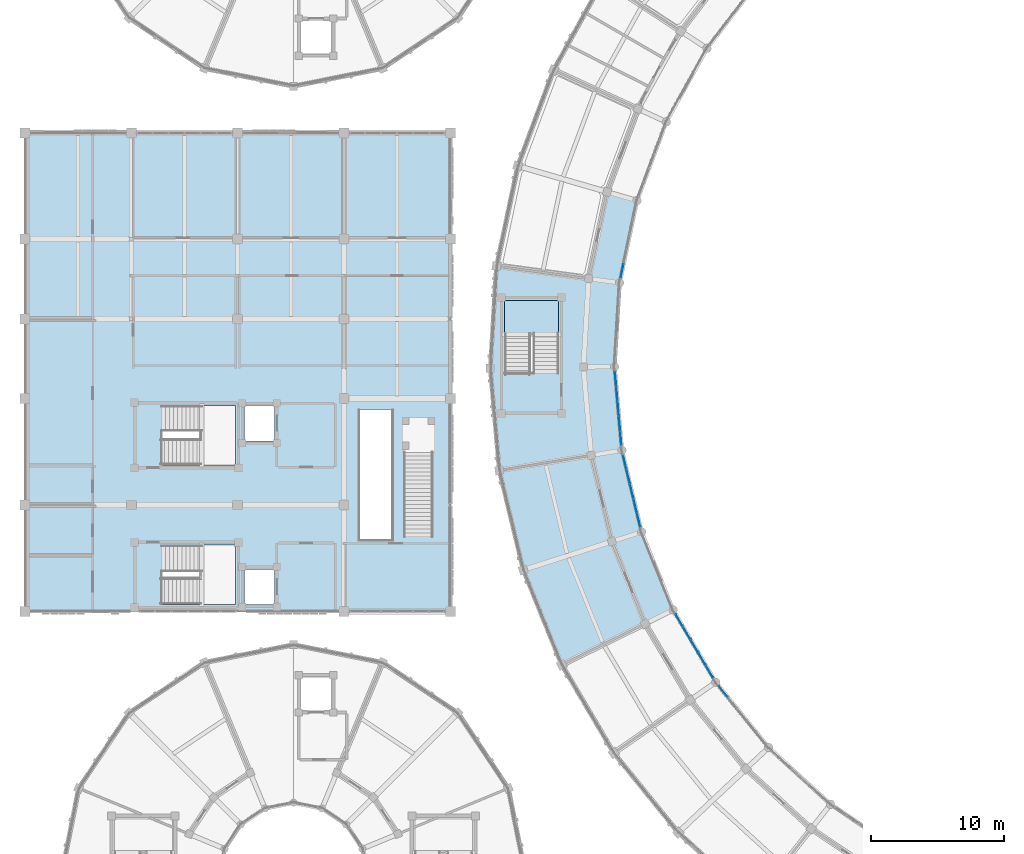
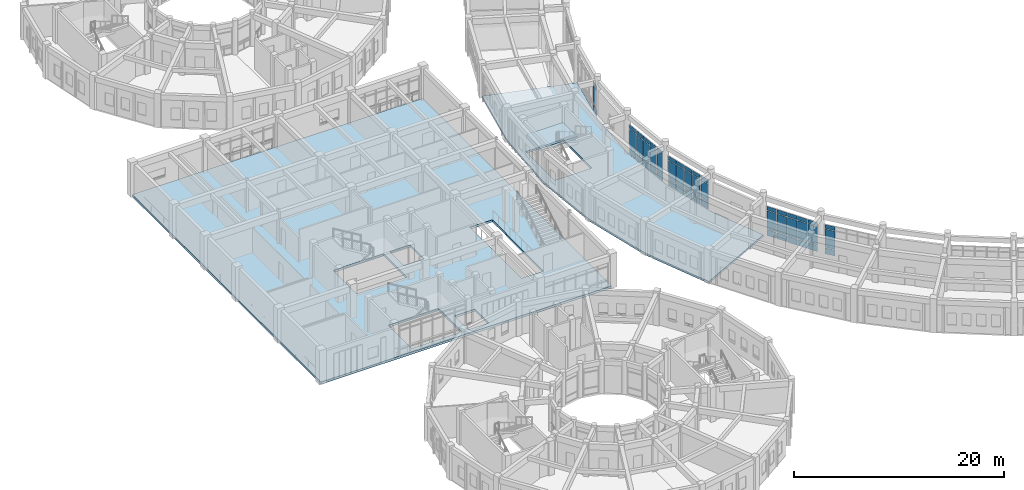
# One storey, part 104 of 159: 51 plates, 3 slabs, 6 elements without a shape of their own.
"""IFC4 building model written with IfcOpenShell, lengths in metres."""

from ifc_helpers import new_model, si_unit, direction, frame, origin, origin_2d, place, context, subcontext, project, spatial, polyline, rectangle, outline, extrude, material, layer, layer_set, type_object, element, aggregate, save


model = new_model("IFC4")

# Units and contexts
model_context = context("Model", 3, precision=1e-05, world=origin(), true_north=direction((0.0, 1.0)))
body_context = subcontext(model_context, "Body", "Model", "MODEL_VIEW")
ifc_project = project(units=[si_unit("LENGTHUNIT", "METRE"), si_unit("AREAUNIT", "SQUARE_METRE"), si_unit("VOLUMEUNIT", "CUBIC_METRE"), si_unit("PLANEANGLEUNIT", "RADIAN"), si_unit("MASSUNIT", "GRAM", prefix="KILO")], contexts=[model_context])

# Site, building, storey
site_placement = place(None, origin())
site = spatial("IfcSite", under=ifc_project, at=site_placement, CompositionType="ELEMENT")
building_placement = place(site_placement, origin())
building = spatial("IfcBuilding", under=site, at=building_placement, Name="Celadon Cloister-Ring School", CompositionType="ELEMENT")
storey_placement = place(building_placement, frame((0.0, 0.0, 4.5)))
storey = spatial("IfcBuildingStorey", under=building, at=storey_placement, Name="L01", CompositionType="ELEMENT", Elevation=4.5)

# Curtain wall, plates
ifc_material_1 = material(Name="Aluminium EN AW-6063 T6", Category="aluminium")
curtain_wall_type = type_object("IfcCurtainWallType", Name="CW-01", PredefinedType="USERDEFINED", material=ifc_material_1)
curtain_wall_1_placement = place(storey_placement, origin())
curtain_wall_1 = element("IfcCurtainWall", 1, at=curtain_wall_1_placement, inside=storey, type_object=curtain_wall_type, Name="Curtain Wall 0024", ObjectType="CURTAIN WALL", PredefinedType="USERDEFINED")
ifc_material_2 = material(Name="Tempered laminated insulating glass", Category="glass")
ifc_layer_1 = layer(ifc_material_2, 0.028076171875)
ifc_layer_set_1 = layer_set([ifc_layer_1], Name="Tempered laminated insulating glass")
plate_type = type_object("IfcPlateType", Name="CPN-02", PredefinedType="CURTAIN_PANEL", material=ifc_layer_set_1)
plate_1_placement = place(storey_placement, frame((44.923583984375, 65.609130859375, 0.074951171875), z_axis=(0.0, 0.0, 1.0), x_axis=(-0.207094964304, -0.978320844999, 0.0)))
plate_1 = element("IfcPlate", 2, at=plate_1_placement, type_object=plate_type, Name="CW-01 panel 5.1", PredefinedType="CURTAIN_PANEL", context=body_context, shape_type="SweptSolid", body=[
    extrude(rectangle(XDim=1.013671875, YDim=0.028076171875, at=origin_2d()), origin(), (0.0, 0.0, 1.0), 0.6875),
])
plate_2_placement = place(storey_placement, frame((44.923583984375, 65.609130859375, 0.83740234375), z_axis=(0.0, 0.0, 1.0), x_axis=(-0.207094964304, -0.978320844999, 0.0)))
plate_2 = element("IfcPlate", 3, at=plate_2_placement, type_object=plate_type, Name="CW-01 panel 5.2", PredefinedType="CURTAIN_PANEL", context=body_context, shape_type="SweptSolid", body=[
    extrude(rectangle(XDim=1.013671875, YDim=0.028076171875, at=origin_2d()), origin(), (0.0, 0.0, 1.0), 2.125),
])
plate_3_placement = place(storey_placement, frame((44.923583984375, 65.609130859375, 3.03759765625), z_axis=(0.0, 0.0, 1.0), x_axis=(-0.207094964304, -0.978320844999, 0.0)))
plate_3 = element("IfcPlate", 4, at=plate_3_placement, type_object=plate_type, Name="CW-01 panel 5.3", PredefinedType="CURTAIN_PANEL", context=body_context, shape_type="SweptSolid", body=[
    extrude(rectangle(XDim=1.013671875, YDim=0.028076171875, at=origin_2d()), origin(), (0.0, 0.0, 1.0), 0.4375),
])
aggregate(curtain_wall_1, [plate_1, plate_2, plate_3])

curtain_wall_2_placement = place(storey_placement, origin())
curtain_wall_2 = element("IfcCurtainWall", 5, at=curtain_wall_2_placement, inside=storey, type_object=curtain_wall_type, Name="Curtain Wall 0025", ObjectType="CURTAIN WALL", PredefinedType="USERDEFINED")
plate_4_placement = place(storey_placement, frame((44.4345703125, 57.50146484375, 0.074951171875), z_axis=(0.0, 0.0, 1.0), x_axis=(0.087687842199, -0.996148002222, 0.0)))
plate_4 = element("IfcPlate", 6, at=plate_4_placement, type_object=plate_type, Name="CW-01 panel 1.1", PredefinedType="CURTAIN_PANEL", context=body_context, shape_type="SweptSolid", body=[
    extrude(rectangle(XDim=1.013671875, YDim=0.028076171875, at=origin_2d()), origin(), (0.0, 0.0, 1.0), 0.6875),
])
plate_5_placement = place(storey_placement, frame((44.4345703125, 57.50146484375, 0.83740234375), z_axis=(0.0, 0.0, 1.0), x_axis=(0.087687842199, -0.996148002222, 0.0)))
plate_5 = element("IfcPlate", 7, at=plate_5_placement, type_object=plate_type, Name="CW-01 panel 1.2", PredefinedType="CURTAIN_PANEL", context=body_context, shape_type="SweptSolid", body=[
    extrude(rectangle(XDim=1.013671875, YDim=0.028076171875, at=origin_2d()), origin(), (0.0, 0.0, 1.0), 2.125),
])
plate_6_placement = place(storey_placement, frame((44.4345703125, 57.50146484375, 3.03759765625), z_axis=(0.0, 0.0, 1.0), x_axis=(0.087687842199, -0.996148002222, 0.0)))
plate_6 = element("IfcPlate", 8, at=plate_6_placement, type_object=plate_type, Name="CW-01 panel 1.3", PredefinedType="CURTAIN_PANEL", context=body_context, shape_type="SweptSolid", body=[
    extrude(rectangle(XDim=1.013671875, YDim=0.028076171875, at=origin_2d()), origin(), (0.0, 0.0, 1.0), 0.4375),
])
plate_7_placement = place(storey_placement, frame((44.531982421875, 56.39208984375, 0.074951171875), z_axis=(0.0, 0.0, 1.0), x_axis=(0.087687842199, -0.996148002222, 0.0)))
plate_7 = element("IfcPlate", 9, at=plate_7_placement, type_object=plate_type, Name="CW-01 panel 2.1", PredefinedType="CURTAIN_PANEL", context=body_context, shape_type="SweptSolid", body=[
    extrude(rectangle(XDim=1.053466796875, YDim=0.028076171875, at=origin_2d()), origin(), (0.0, 0.0, 1.0), 0.6875),
])
plate_8_placement = place(storey_placement, frame((44.531982421875, 56.39208984375, 0.83740234375), z_axis=(0.0, 0.0, 1.0), x_axis=(0.087687842199, -0.996148002222, 0.0)))
plate_8 = element("IfcPlate", 10, at=plate_8_placement, type_object=plate_type, Name="CW-01 panel 2.2", PredefinedType="CURTAIN_PANEL", context=body_context, shape_type="SweptSolid", body=[
    extrude(rectangle(XDim=1.053466796875, YDim=0.028076171875, at=origin_2d()), origin(), (0.0, 0.0, 1.0), 2.125),
])
plate_9_placement = place(storey_placement, frame((44.531982421875, 56.39208984375, 3.03759765625), z_axis=(0.0, 0.0, 1.0), x_axis=(0.087687842199, -0.996148002222, 0.0)))
plate_9 = element("IfcPlate", 11, at=plate_9_placement, type_object=plate_type, Name="CW-01 panel 2.3", PredefinedType="CURTAIN_PANEL", context=body_context, shape_type="SweptSolid", body=[
    extrude(rectangle(XDim=1.053466796875, YDim=0.028076171875, at=origin_2d()), origin(), (0.0, 0.0, 1.0), 0.4375),
])
plate_10_placement = place(storey_placement, frame((44.631591796875, 55.262939453125, 0.074951171875), z_axis=(0.0, 0.0, 1.0), x_axis=(0.087687842199, -0.996148002222, 0.0)))
plate_10 = element("IfcPlate", 12, at=plate_10_placement, type_object=plate_type, Name="CW-01 panel 3.1", PredefinedType="CURTAIN_PANEL", context=body_context, shape_type="SweptSolid", body=[
    extrude(rectangle(XDim=1.053466796875, YDim=0.028076171875, at=origin_2d()), origin(), (0.0, 0.0, 1.0), 0.6875),
])
plate_11_placement = place(storey_placement, frame((44.631591796875, 55.262939453125, 0.83740234375), z_axis=(0.0, 0.0, 1.0), x_axis=(0.087687842199, -0.996148002222, 0.0)))
plate_11 = element("IfcPlate", 13, at=plate_11_placement, type_object=plate_type, Name="CW-01 panel 3.2", PredefinedType="CURTAIN_PANEL", context=body_context, shape_type="SweptSolid", body=[
    extrude(rectangle(XDim=1.053466796875, YDim=0.028076171875, at=origin_2d()), origin(), (0.0, 0.0, 1.0), 2.125),
])
plate_12_placement = place(storey_placement, frame((44.631591796875, 55.262939453125, 3.03759765625), z_axis=(0.0, 0.0, 1.0), x_axis=(0.087687842199, -0.996148002222, 0.0)))
plate_12 = element("IfcPlate", 14, at=plate_12_placement, type_object=plate_type, Name="CW-01 panel 3.3", PredefinedType="CURTAIN_PANEL", context=body_context, shape_type="SweptSolid", body=[
    extrude(rectangle(XDim=1.053466796875, YDim=0.028076171875, at=origin_2d()), origin(), (0.0, 0.0, 1.0), 0.4375),
])
plate_13_placement = place(storey_placement, frame((44.73095703125, 54.1337890625, 0.074951171875), z_axis=(0.0, 0.0, 1.0), x_axis=(0.087687842199, -0.996148002222, 0.0)))
plate_13 = element("IfcPlate", 15, at=plate_13_placement, type_object=plate_type, Name="CW-01 panel 4.1", PredefinedType="CURTAIN_PANEL", context=body_context, shape_type="SweptSolid", body=[
    extrude(rectangle(XDim=1.053466796875, YDim=0.028076171875, at=origin_2d()), origin(), (0.0, 0.0, 1.0), 0.6875),
])
plate_14_placement = place(storey_placement, frame((44.73095703125, 54.1337890625, 0.83740234375), z_axis=(0.0, 0.0, 1.0), x_axis=(0.087687842199, -0.996148002222, 0.0)))
plate_14 = element("IfcPlate", 16, at=plate_14_placement, type_object=plate_type, Name="CW-01 panel 4.2", PredefinedType="CURTAIN_PANEL", context=body_context, shape_type="SweptSolid", body=[
    extrude(rectangle(XDim=1.053466796875, YDim=0.028076171875, at=origin_2d()), origin(), (0.0, 0.0, 1.0), 2.125),
])
plate_15_placement = place(storey_placement, frame((44.73095703125, 54.1337890625, 3.03759765625), z_axis=(0.0, 0.0, 1.0), x_axis=(0.087687842199, -0.996148002222, 0.0)))
plate_15 = element("IfcPlate", 17, at=plate_15_placement, type_object=plate_type, Name="CW-01 panel 4.3", PredefinedType="CURTAIN_PANEL", context=body_context, shape_type="SweptSolid", body=[
    extrude(rectangle(XDim=1.053466796875, YDim=0.028076171875, at=origin_2d()), origin(), (0.0, 0.0, 1.0), 0.4375),
])
plate_16_placement = place(storey_placement, frame((44.82861328125, 53.0244140625, 0.074951171875), z_axis=(0.0, 0.0, 1.0), x_axis=(0.087687842199, -0.996148002222, 0.0)))
plate_16 = element("IfcPlate", 18, at=plate_16_placement, type_object=plate_type, Name="CW-01 panel 5.1", PredefinedType="CURTAIN_PANEL", context=body_context, shape_type="SweptSolid", body=[
    extrude(rectangle(XDim=1.013671875, YDim=0.028076171875, at=origin_2d()), origin(), (0.0, 0.0, 1.0), 0.6875),
])
plate_17_placement = place(storey_placement, frame((44.82861328125, 53.0244140625, 0.83740234375), z_axis=(0.0, 0.0, 1.0), x_axis=(0.087687842199, -0.996148002222, 0.0)))
plate_17 = element("IfcPlate", 19, at=plate_17_placement, type_object=plate_type, Name="CW-01 panel 5.2", PredefinedType="CURTAIN_PANEL", context=body_context, shape_type="SweptSolid", body=[
    extrude(rectangle(XDim=1.013671875, YDim=0.028076171875, at=origin_2d()), origin(), (0.0, 0.0, 1.0), 2.125),
])
plate_18_placement = place(storey_placement, frame((44.82861328125, 53.0244140625, 3.03759765625), z_axis=(0.0, 0.0, 1.0), x_axis=(0.087687842199, -0.996148002222, 0.0)))
plate_18 = element("IfcPlate", 20, at=plate_18_placement, type_object=plate_type, Name="CW-01 panel 5.3", PredefinedType="CURTAIN_PANEL", context=body_context, shape_type="SweptSolid", body=[
    extrude(rectangle(XDim=1.013671875, YDim=0.028076171875, at=origin_2d()), origin(), (0.0, 0.0, 1.0), 0.4375),
])
aggregate(curtain_wall_2, [plate_4, plate_5, plate_6, plate_7, plate_8, plate_9, plate_10, plate_11, plate_12, plate_13, plate_14, plate_15, plate_16, plate_17, plate_18])

curtain_wall_3_placement = place(storey_placement, origin())
curtain_wall_3 = element("IfcCurtainWall", 21, at=curtain_wall_3_placement, inside=storey, type_object=curtain_wall_type, Name="Curtain Wall 0026", ObjectType="CURTAIN WALL", PredefinedType="USERDEFINED")
plate_19_placement = place(storey_placement, frame((45.122314453125, 51.2294921875, 0.074951171875), z_axis=(0.0, 0.0, 1.0), x_axis=(0.234100157469, -0.972212485146, 0.0)))
plate_19 = element("IfcPlate", 22, at=plate_19_placement, type_object=plate_type, Name="CW-01 panel 1.1", PredefinedType="CURTAIN_PANEL", context=body_context, shape_type="SweptSolid", body=[
    extrude(rectangle(XDim=1.013671875, YDim=0.028076171875, at=origin_2d()), origin(), (0.0, 0.0, 1.0), 0.6875),
])
plate_20_placement = place(storey_placement, frame((45.122314453125, 51.2294921875, 0.83740234375), z_axis=(0.0, 0.0, 1.0), x_axis=(0.234100157469, -0.972212485146, 0.0)))
plate_20 = element("IfcPlate", 23, at=plate_20_placement, type_object=plate_type, Name="CW-01 panel 1.2", PredefinedType="CURTAIN_PANEL", context=body_context, shape_type="SweptSolid", body=[
    extrude(rectangle(XDim=1.013671875, YDim=0.028076171875, at=origin_2d()), origin(), (0.0, 0.0, 1.0), 2.125),
])
plate_21_placement = place(storey_placement, frame((45.122314453125, 51.2294921875, 3.03759765625), z_axis=(0.0, 0.0, 1.0), x_axis=(0.234100157469, -0.972212485146, 0.0)))
plate_21 = element("IfcPlate", 24, at=plate_21_placement, type_object=plate_type, Name="CW-01 panel 1.3", PredefinedType="CURTAIN_PANEL", context=body_context, shape_type="SweptSolid", body=[
    extrude(rectangle(XDim=1.013671875, YDim=0.028076171875, at=origin_2d()), origin(), (0.0, 0.0, 1.0), 0.4375),
])
plate_22_placement = place(storey_placement, frame((45.383056640625, 50.146728515625, 0.074951171875), z_axis=(0.0, 0.0, 1.0), x_axis=(0.234100157469, -0.972212485146, 0.0)))
plate_22 = element("IfcPlate", 25, at=plate_22_placement, type_object=plate_type, Name="CW-01 panel 2.1", PredefinedType="CURTAIN_PANEL", context=body_context, shape_type="SweptSolid", body=[
    extrude(rectangle(XDim=1.0537109375, YDim=0.028076171875, at=origin_2d()), origin(), (0.0, 0.0, 1.0), 0.6875),
])
plate_23_placement = place(storey_placement, frame((45.383056640625, 50.146728515625, 0.83740234375), z_axis=(0.0, 0.0, 1.0), x_axis=(0.234100157469, -0.972212485146, 0.0)))
plate_23 = element("IfcPlate", 26, at=plate_23_placement, type_object=plate_type, Name="CW-01 panel 2.2", PredefinedType="CURTAIN_PANEL", context=body_context, shape_type="SweptSolid", body=[
    extrude(rectangle(XDim=1.0537109375, YDim=0.028076171875, at=origin_2d()), origin(), (0.0, 0.0, 1.0), 2.125),
])
plate_24_placement = place(storey_placement, frame((45.383056640625, 50.146728515625, 3.03759765625), z_axis=(0.0, 0.0, 1.0), x_axis=(0.234100157469, -0.972212485146, 0.0)))
plate_24 = element("IfcPlate", 27, at=plate_24_placement, type_object=plate_type, Name="CW-01 panel 2.3", PredefinedType="CURTAIN_PANEL", context=body_context, shape_type="SweptSolid", body=[
    extrude(rectangle(XDim=1.0537109375, YDim=0.028076171875, at=origin_2d()), origin(), (0.0, 0.0, 1.0), 0.4375),
])
plate_25_placement = place(storey_placement, frame((45.6484375, 49.04443359375, 0.074951171875), z_axis=(0.0, 0.0, 1.0), x_axis=(0.234100157469, -0.972212485146, 0.0)))
plate_25 = element("IfcPlate", 28, at=plate_25_placement, type_object=plate_type, Name="CW-01 panel 3.1", PredefinedType="CURTAIN_PANEL", context=body_context, shape_type="SweptSolid", body=[
    extrude(rectangle(XDim=1.0537109375, YDim=0.028076171875, at=origin_2d()), origin(), (0.0, 0.0, 1.0), 0.6875),
])
plate_26_placement = place(storey_placement, frame((45.6484375, 49.04443359375, 0.83740234375), z_axis=(0.0, 0.0, 1.0), x_axis=(0.234100157469, -0.972212485146, 0.0)))
plate_26 = element("IfcPlate", 29, at=plate_26_placement, type_object=plate_type, Name="CW-01 panel 3.2", PredefinedType="CURTAIN_PANEL", context=body_context, shape_type="SweptSolid", body=[
    extrude(rectangle(XDim=1.0537109375, YDim=0.028076171875, at=origin_2d()), origin(), (0.0, 0.0, 1.0), 2.125),
])
plate_27_placement = place(storey_placement, frame((45.6484375, 49.04443359375, 3.03759765625), z_axis=(0.0, 0.0, 1.0), x_axis=(0.234100157469, -0.972212485146, 0.0)))
plate_27 = element("IfcPlate", 30, at=plate_27_placement, type_object=plate_type, Name="CW-01 panel 3.3", PredefinedType="CURTAIN_PANEL", context=body_context, shape_type="SweptSolid", body=[
    extrude(rectangle(XDim=1.0537109375, YDim=0.028076171875, at=origin_2d()), origin(), (0.0, 0.0, 1.0), 0.4375),
])
plate_28_placement = place(storey_placement, frame((45.913818359375, 47.9423828125, 0.074951171875), z_axis=(0.0, 0.0, 1.0), x_axis=(0.234100157469, -0.972212485146, 0.0)))
plate_28 = element("IfcPlate", 31, at=plate_28_placement, type_object=plate_type, Name="CW-01 panel 4.1", PredefinedType="CURTAIN_PANEL", context=body_context, shape_type="SweptSolid", body=[
    extrude(rectangle(XDim=1.0537109375, YDim=0.028076171875, at=origin_2d()), origin(), (0.0, 0.0, 1.0), 0.6875),
])
plate_29_placement = place(storey_placement, frame((45.913818359375, 47.9423828125, 0.83740234375), z_axis=(0.0, 0.0, 1.0), x_axis=(0.234100157469, -0.972212485146, 0.0)))
plate_29 = element("IfcPlate", 32, at=plate_29_placement, type_object=plate_type, Name="CW-01 panel 4.2", PredefinedType="CURTAIN_PANEL", context=body_context, shape_type="SweptSolid", body=[
    extrude(rectangle(XDim=1.0537109375, YDim=0.028076171875, at=origin_2d()), origin(), (0.0, 0.0, 1.0), 2.125),
])
plate_30_placement = place(storey_placement, frame((45.913818359375, 47.9423828125, 3.03759765625), z_axis=(0.0, 0.0, 1.0), x_axis=(0.234100157469, -0.972212485146, 0.0)))
plate_30 = element("IfcPlate", 33, at=plate_30_placement, type_object=plate_type, Name="CW-01 panel 4.3", PredefinedType="CURTAIN_PANEL", context=body_context, shape_type="SweptSolid", body=[
    extrude(rectangle(XDim=1.0537109375, YDim=0.028076171875, at=origin_2d()), origin(), (0.0, 0.0, 1.0), 0.4375),
])
plate_31_placement = place(storey_placement, frame((46.174560546875, 46.859619140625, 0.074951171875), z_axis=(0.0, 0.0, 1.0), x_axis=(0.234100157469, -0.972212485146, 0.0)))
plate_31 = element("IfcPlate", 34, at=plate_31_placement, type_object=plate_type, Name="CW-01 panel 5.1", PredefinedType="CURTAIN_PANEL", context=body_context, shape_type="SweptSolid", body=[
    extrude(rectangle(XDim=1.013671875, YDim=0.028076171875, at=origin_2d()), origin(), (0.0, 0.0, 1.0), 0.6875),
])
plate_32_placement = place(storey_placement, frame((46.174560546875, 46.859619140625, 0.83740234375), z_axis=(0.0, 0.0, 1.0), x_axis=(0.234100157469, -0.972212485146, 0.0)))
plate_32 = element("IfcPlate", 35, at=plate_32_placement, type_object=plate_type, Name="CW-01 panel 5.2", PredefinedType="CURTAIN_PANEL", context=body_context, shape_type="SweptSolid", body=[
    extrude(rectangle(XDim=1.013671875, YDim=0.028076171875, at=origin_2d()), origin(), (0.0, 0.0, 1.0), 2.125),
])
plate_33_placement = place(storey_placement, frame((46.174560546875, 46.859619140625, 3.03759765625), z_axis=(0.0, 0.0, 1.0), x_axis=(0.234100157469, -0.972212485146, 0.0)))
plate_33 = element("IfcPlate", 36, at=plate_33_placement, type_object=plate_type, Name="CW-01 panel 5.3", PredefinedType="CURTAIN_PANEL", context=body_context, shape_type="SweptSolid", body=[
    extrude(rectangle(XDim=1.013671875, YDim=0.028076171875, at=origin_2d()), origin(), (0.0, 0.0, 1.0), 0.4375),
])
aggregate(curtain_wall_3, [plate_19, plate_20, plate_21, plate_22, plate_23, plate_24, plate_25, plate_26, plate_27, plate_28, plate_29, plate_30, plate_31, plate_32, plate_33])

curtain_wall_4_placement = place(storey_placement, origin())
curtain_wall_4 = element("IfcCurtainWall", 37, at=curtain_wall_4_placement, inside=storey, type_object=curtain_wall_type, Name="Curtain Wall 0027", ObjectType="CURTAIN WALL", PredefinedType="USERDEFINED")
plate_34_placement = place(storey_placement, frame((49.22119140625, 39.33056640625, 0.074951171875), z_axis=(0.0, 0.0, 1.0), x_axis=(0.508099131243, -0.861298596788, 0.0)))
plate_34 = element("IfcPlate", 38, at=plate_34_placement, type_object=plate_type, Name="CW-01 panel 1.1", PredefinedType="CURTAIN_PANEL", context=body_context, shape_type="SweptSolid", body=[
    extrude(rectangle(XDim=1.013671875, YDim=0.028076171875, at=origin_2d()), origin(), (0.0, 0.0, 1.0), 0.6875),
])
plate_35_placement = place(storey_placement, frame((49.22119140625, 39.33056640625, 0.83740234375), z_axis=(0.0, 0.0, 1.0), x_axis=(0.508099131243, -0.861298596788, 0.0)))
plate_35 = element("IfcPlate", 39, at=plate_35_placement, type_object=plate_type, Name="CW-01 panel 1.2", PredefinedType="CURTAIN_PANEL", context=body_context, shape_type="SweptSolid", body=[
    extrude(rectangle(XDim=1.013671875, YDim=0.028076171875, at=origin_2d()), origin(), (0.0, 0.0, 1.0), 2.125),
])
plate_36_placement = place(storey_placement, frame((49.22119140625, 39.33056640625, 3.03759765625), z_axis=(0.0, 0.0, 1.0), x_axis=(0.508099131243, -0.861298596788, 0.0)))
plate_36 = element("IfcPlate", 40, at=plate_36_placement, type_object=plate_type, Name="CW-01 panel 1.3", PredefinedType="CURTAIN_PANEL", context=body_context, shape_type="SweptSolid", body=[
    extrude(rectangle(XDim=1.013671875, YDim=0.028076171875, at=origin_2d()), origin(), (0.0, 0.0, 1.0), 0.4375),
])
plate_37_placement = place(storey_placement, frame((49.787109375, 38.371337890625, 0.074951171875), z_axis=(0.0, 0.0, 1.0), x_axis=(0.508099131243, -0.861298596788, 0.0)))
plate_37 = element("IfcPlate", 41, at=plate_37_placement, type_object=plate_type, Name="CW-01 panel 2.1", PredefinedType="CURTAIN_PANEL", context=body_context, shape_type="SweptSolid", body=[
    extrude(rectangle(XDim=1.0537109375, YDim=0.028076171875, at=origin_2d()), origin(), (0.0, 0.0, 1.0), 0.6875),
])
plate_38_placement = place(storey_placement, frame((49.787109375, 38.371337890625, 0.83740234375), z_axis=(0.0, 0.0, 1.0), x_axis=(0.508099131243, -0.861298596788, 0.0)))
plate_38 = element("IfcPlate", 42, at=plate_38_placement, type_object=plate_type, Name="CW-01 panel 2.2", PredefinedType="CURTAIN_PANEL", context=body_context, shape_type="SweptSolid", body=[
    extrude(rectangle(XDim=1.0537109375, YDim=0.028076171875, at=origin_2d()), origin(), (0.0, 0.0, 1.0), 2.125),
])
plate_39_placement = place(storey_placement, frame((49.787109375, 38.371337890625, 3.03759765625), z_axis=(0.0, 0.0, 1.0), x_axis=(0.508099131243, -0.861298596788, 0.0)))
plate_39 = element("IfcPlate", 43, at=plate_39_placement, type_object=plate_type, Name="CW-01 panel 2.3", PredefinedType="CURTAIN_PANEL", context=body_context, shape_type="SweptSolid", body=[
    extrude(rectangle(XDim=1.0537109375, YDim=0.028076171875, at=origin_2d()), origin(), (0.0, 0.0, 1.0), 0.4375),
])
plate_40_placement = place(storey_placement, frame((50.363037109375, 37.39501953125, 0.074951171875), z_axis=(0.0, 0.0, 1.0), x_axis=(0.508099131243, -0.861298596788, 0.0)))
plate_40 = element("IfcPlate", 44, at=plate_40_placement, type_object=plate_type, Name="CW-01 panel 3.1", PredefinedType="CURTAIN_PANEL", context=body_context, shape_type="SweptSolid", body=[
    extrude(rectangle(XDim=1.0537109375, YDim=0.028076171875, at=origin_2d()), origin(), (0.0, 0.0, 1.0), 0.6875),
])
plate_41_placement = place(storey_placement, frame((50.363037109375, 37.39501953125, 0.83740234375), z_axis=(0.0, 0.0, 1.0), x_axis=(0.508099131243, -0.861298596788, 0.0)))
plate_41 = element("IfcPlate", 45, at=plate_41_placement, type_object=plate_type, Name="CW-01 panel 3.2", PredefinedType="CURTAIN_PANEL", context=body_context, shape_type="SweptSolid", body=[
    extrude(rectangle(XDim=1.0537109375, YDim=0.028076171875, at=origin_2d()), origin(), (0.0, 0.0, 1.0), 2.125),
])
plate_42_placement = place(storey_placement, frame((50.363037109375, 37.39501953125, 3.03759765625), z_axis=(0.0, 0.0, 1.0), x_axis=(0.508099131243, -0.861298596788, 0.0)))
plate_42 = element("IfcPlate", 46, at=plate_42_placement, type_object=plate_type, Name="CW-01 panel 3.3", PredefinedType="CURTAIN_PANEL", context=body_context, shape_type="SweptSolid", body=[
    extrude(rectangle(XDim=1.0537109375, YDim=0.028076171875, at=origin_2d()), origin(), (0.0, 0.0, 1.0), 0.4375),
])
plate_43_placement = place(storey_placement, frame((50.93896484375, 36.418701171875, 0.074951171875), z_axis=(0.0, 0.0, 1.0), x_axis=(0.508099131243, -0.861298596788, 0.0)))
plate_43 = element("IfcPlate", 47, at=plate_43_placement, type_object=plate_type, Name="CW-01 panel 4.1", PredefinedType="CURTAIN_PANEL", context=body_context, shape_type="SweptSolid", body=[
    extrude(rectangle(XDim=1.0537109375, YDim=0.028076171875, at=origin_2d()), origin(), (0.0, 0.0, 1.0), 0.6875),
])
plate_44_placement = place(storey_placement, frame((50.93896484375, 36.418701171875, 0.83740234375), z_axis=(0.0, 0.0, 1.0), x_axis=(0.508099131243, -0.861298596788, 0.0)))
plate_44 = element("IfcPlate", 48, at=plate_44_placement, type_object=plate_type, Name="CW-01 panel 4.2", PredefinedType="CURTAIN_PANEL", context=body_context, shape_type="SweptSolid", body=[
    extrude(rectangle(XDim=1.0537109375, YDim=0.028076171875, at=origin_2d()), origin(), (0.0, 0.0, 1.0), 2.125),
])
plate_45_placement = place(storey_placement, frame((50.93896484375, 36.418701171875, 3.03759765625), z_axis=(0.0, 0.0, 1.0), x_axis=(0.508099131243, -0.861298596788, 0.0)))
plate_45 = element("IfcPlate", 49, at=plate_45_placement, type_object=plate_type, Name="CW-01 panel 4.3", PredefinedType="CURTAIN_PANEL", context=body_context, shape_type="SweptSolid", body=[
    extrude(rectangle(XDim=1.0537109375, YDim=0.028076171875, at=origin_2d()), origin(), (0.0, 0.0, 1.0), 0.4375),
])
plate_46_placement = place(storey_placement, frame((51.5048828125, 35.45947265625, 0.074951171875), z_axis=(0.0, 0.0, 1.0), x_axis=(0.508099131243, -0.861298596788, 0.0)))
plate_46 = element("IfcPlate", 50, at=plate_46_placement, type_object=plate_type, Name="CW-01 panel 5.1", PredefinedType="CURTAIN_PANEL", context=body_context, shape_type="SweptSolid", body=[
    extrude(rectangle(XDim=1.013671875, YDim=0.028076171875, at=origin_2d()), origin(), (0.0, 0.0, 1.0), 0.6875),
])
plate_47_placement = place(storey_placement, frame((51.5048828125, 35.45947265625, 0.83740234375), z_axis=(0.0, 0.0, 1.0), x_axis=(0.508099131243, -0.861298596788, 0.0)))
plate_47 = element("IfcPlate", 51, at=plate_47_placement, type_object=plate_type, Name="CW-01 panel 5.2", PredefinedType="CURTAIN_PANEL", context=body_context, shape_type="SweptSolid", body=[
    extrude(rectangle(XDim=1.013671875, YDim=0.028076171875, at=origin_2d()), origin(), (0.0, 0.0, 1.0), 2.125),
])
plate_48_placement = place(storey_placement, frame((51.5048828125, 35.45947265625, 3.03759765625), z_axis=(0.0, 0.0, 1.0), x_axis=(0.508099131243, -0.861298596788, 0.0)))
plate_48 = element("IfcPlate", 52, at=plate_48_placement, type_object=plate_type, Name="CW-01 panel 5.3", PredefinedType="CURTAIN_PANEL", context=body_context, shape_type="SweptSolid", body=[
    extrude(rectangle(XDim=1.013671875, YDim=0.028076171875, at=origin_2d()), origin(), (0.0, 0.0, 1.0), 0.4375),
])
aggregate(curtain_wall_4, [plate_34, plate_35, plate_36, plate_37, plate_38, plate_39, plate_40, plate_41, plate_42, plate_43, plate_44, plate_45, plate_46, plate_47, plate_48])

curtain_wall_5_placement = place(storey_placement, origin())
curtain_wall_5 = element("IfcCurtainWall", 53, at=curtain_wall_5_placement, inside=storey, type_object=curtain_wall_type, Name="Curtain Wall 0028", ObjectType="CURTAIN WALL", PredefinedType="USERDEFINED")
plate_49_placement = place(storey_placement, frame((52.54248046875, 33.966064453125, 0.074951171875), z_axis=(0.0, 0.0, 1.0), x_axis=(0.629416415615, -0.777068192474, 0.0)))
plate_49 = element("IfcPlate", 54, at=plate_49_placement, type_object=plate_type, Name="CW-01 panel 1.1", PredefinedType="CURTAIN_PANEL", context=body_context, shape_type="SweptSolid", body=[
    extrude(rectangle(XDim=1.013671875, YDim=0.028076171875, at=origin_2d()), origin(), (0.0, 0.0, 1.0), 0.6875),
])
plate_50_placement = place(storey_placement, frame((52.54248046875, 33.966064453125, 0.83740234375), z_axis=(0.0, 0.0, 1.0), x_axis=(0.629416415615, -0.777068192474, 0.0)))
plate_50 = element("IfcPlate", 55, at=plate_50_placement, type_object=plate_type, Name="CW-01 panel 1.2", PredefinedType="CURTAIN_PANEL", context=body_context, shape_type="SweptSolid", body=[
    extrude(rectangle(XDim=1.013671875, YDim=0.028076171875, at=origin_2d()), origin(), (0.0, 0.0, 1.0), 2.125),
])
plate_51_placement = place(storey_placement, frame((52.54248046875, 33.966064453125, 3.03759765625), z_axis=(0.0, 0.0, 1.0), x_axis=(0.629416415615, -0.777068192474, 0.0)))
plate_51 = element("IfcPlate", 56, at=plate_51_placement, type_object=plate_type, Name="CW-01 panel 1.3", PredefinedType="CURTAIN_PANEL", context=body_context, shape_type="SweptSolid", body=[
    extrude(rectangle(XDim=1.013671875, YDim=0.028076171875, at=origin_2d()), origin(), (0.0, 0.0, 1.0), 0.4375),
])
aggregate(curtain_wall_5, [plate_49, plate_50, plate_51])

# Slabs
ifc_material_3 = material(Name="Concrete C35/45", Category="concrete")
ifc_layer_2 = layer(ifc_material_3, 0.219970703125)
ifc_layer_set_2 = layer_set([ifc_layer_2], Name="Concrete C35/45")
slab_type_1 = type_object("IfcSlabType", Name="SL-FL2", PredefinedType="FLOOR", material=ifc_layer_set_2)
slab_1_placement = place(storey_placement, frame((0.0, 0.0, -0.219970703125)))
element("IfcSlab", 57, at=slab_1_placement, inside=storey, type_object=slab_type_1, Name="Ring L01 Sector 0009", PredefinedType="FLOOR", context=body_context, shape_type="SweptSolid", body=[
    extrude(outline(polyline([(46.04296875, 70.89892578125), (44.735107421875, 64.717041015625), (44.35400390625, 58.409912109375), (44.908935546875, 52.115966796875), (46.387939453125, 45.972900390625), (48.758056640625, 40.115966796875), (40.375, 35.97705078125), (37.485107421875, 43.117919921875), (35.681884765625, 50.60693359375), (35.0048828125, 58.281005859375), (35.468994140625, 65.970947265625), (37.06494140625, 73.508056640625), (46.04296875, 70.89892578125)]), holes=[polyline([(36.070068359375, 57.9150390625), (40.14990234375, 57.9150390625), (40.14990234375, 63.39990234375), (36.070068359375, 63.39990234375), (36.070068359375, 57.9150390625)])]), origin(), (0.0, 0.0, 1.0), 0.219970703125),
])
ifc_material_4 = material(Name="Concrete C35/45", Category="concrete")
ifc_layer_3 = layer(ifc_material_4, 0.260009765625)
ifc_layer_set_3 = layer_set([ifc_layer_3], Name="Concrete C35/45")
slab_type_2 = type_object("IfcSlabType", Name="SL-FL4", PredefinedType="FLOOR", material=ifc_layer_set_3)
slab_2_placement = place(storey_placement, frame((0.0, 0.0, -0.260009765625)))
element("IfcSlab", 58, at=slab_2_placement, inside=storey, type_object=slab_type_2, Name="Science Wing L01 Slab 0071", PredefinedType="FLOOR", context=body_context, shape_type="SweptSolid", body=[
    extrude(outline(polyline([(0.0, 76.0), (32.0, 76.0), (32.0, 40.0), (0.0, 40.0), (0.0, 76.0)]), holes=[polyline([(16.530029296875, 40.530029296875), (18.77001953125, 40.530029296875), (18.77001953125, 43.169921875), (16.530029296875, 43.169921875), (16.530029296875, 40.530029296875)]), polyline([(10.2900390625, 40.52001953125), (15.830078125, 40.52001953125), (15.830078125, 44.97998046875), (10.2900390625, 44.97998046875), (10.2900390625, 40.52001953125)]), polyline([(25.155029296875, 52.570068359375), (25.199951171875, 52.570068359375), (25.199951171875, 45.39990234375), (27.60009765625, 45.39990234375), (27.60009765625, 52.570068359375), (27.64501953125, 52.570068359375), (27.64501953125, 55.195068359375), (25.155029296875, 55.195068359375), (25.155029296875, 52.570068359375)]), polyline([(10.2900390625, 51.02001953125), (15.830078125, 51.02001953125), (15.830078125, 55.47998046875), (10.2900390625, 55.47998046875), (10.2900390625, 51.02001953125)]), polyline([(16.530029296875, 52.830078125), (18.77001953125, 52.830078125), (18.77001953125, 55.469970703125), (16.530029296875, 55.469970703125), (16.530029296875, 52.830078125)])]), origin(), (0.0, 0.0, 1.0), 0.260009765625),
])

# Stair, slab
ifc_material_5 = material(Name="Concrete C35/45", Category="concrete")
stair_type = type_object("IfcStairType", Name="ST-04", PredefinedType="HALF_TURN_STAIR", material=ifc_material_5)
stair_placement = place(storey_placement, origin())
stair = element("IfcStair", 59, at=stair_placement, inside=storey, type_object=stair_type, Name="Exit Stair ST-V1W L01", PredefinedType="HALF_TURN_STAIR")
ifc_material_6 = material(Name="Concrete C35/45", Category="concrete")
ifc_layer_4 = layer(ifc_material_6, 0.300048828125)
ifc_layer_set_4 = layer_set([ifc_layer_4], Name="Concrete C35/45")
slab_type_3 = type_object("IfcSlabType", Name="SL-LD2", PredefinedType="LANDING", material=ifc_layer_set_4)
slab_3_placement = place(storey_placement, frame((0.0, 0.0, 1.699951171875)))
slab_3 = element("IfcSlab", 60, at=slab_3_placement, type_object=slab_type_3, Name="ST-04 landing 1", PredefinedType="LANDING", context=body_context, shape_type="SweptSolid", body=[
    extrude(outline(polyline([(36.070068359375, 60.68994140625), (40.14990234375, 60.68994140625), (40.14990234375, 63.39990234375), (36.070068359375, 63.39990234375), (36.070068359375, 60.68994140625)])), origin(), (0.0, 0.0, 1.0), 0.300048828125),
])
aggregate(stair, [slab_3])

save(model, "model.ifc")
